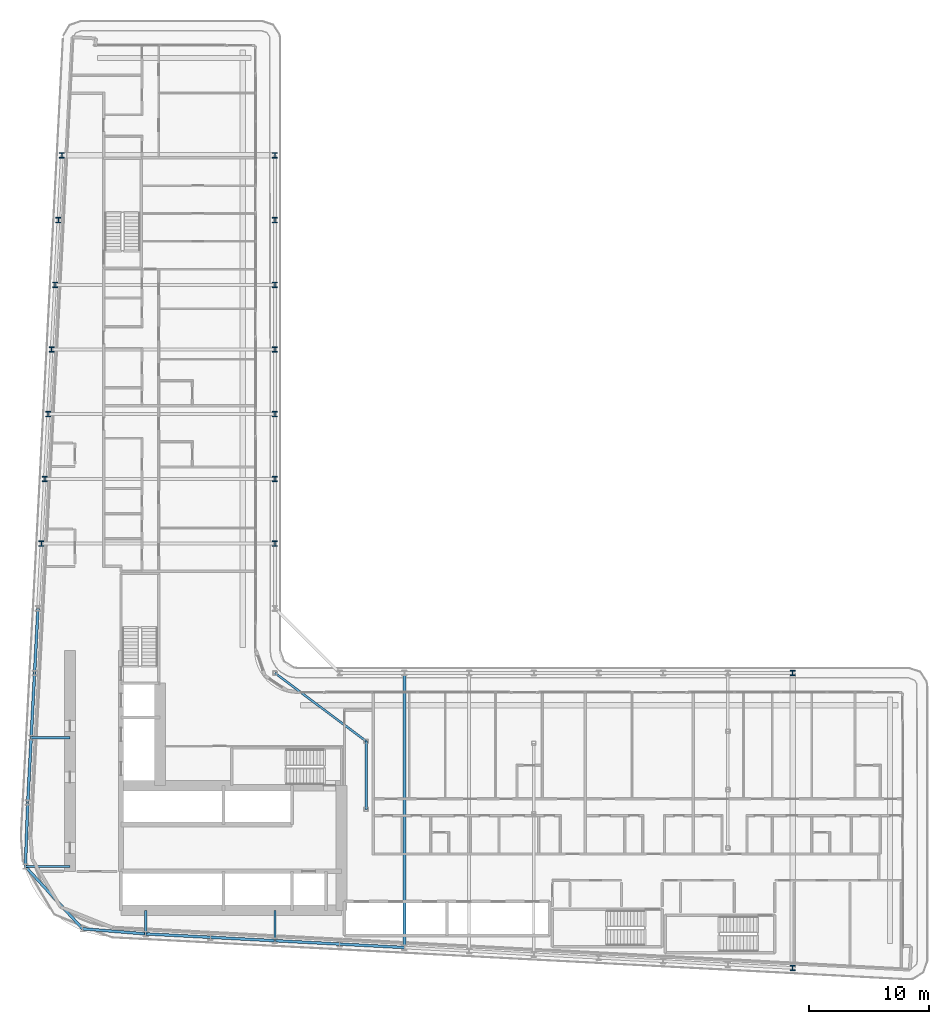
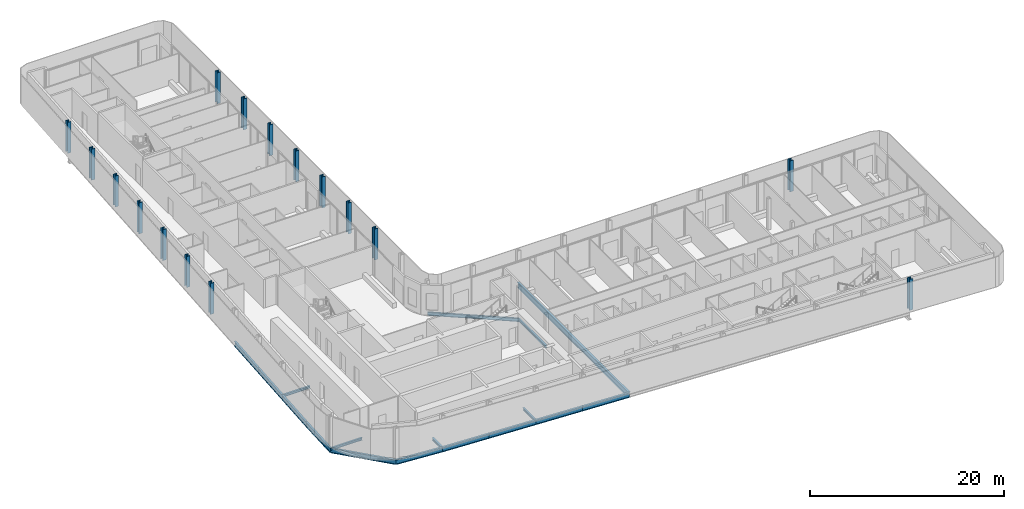
# One storey, part 3 of 28: 17 beams, 16 columns.
"""IFC4 building model written with IfcOpenShell, lengths in metres."""

from ifc_helpers import new_model, si_unit, direction, frame, origin, origin_2d, place, context, subcontext, project, spatial, i_section, extrude, material, material_profile, profile_set, type_object, element, save


model = new_model("IFC4")

# Units and contexts
model_context = context("Model", 3, precision=1e-05, world=origin(), true_north=direction((0.0, 1.0)))
body_context = subcontext(model_context, "Body", "Model", "MODEL_VIEW")
ifc_project = project(units=[si_unit("LENGTHUNIT", "METRE"), si_unit("AREAUNIT", "SQUARE_METRE"), si_unit("VOLUMEUNIT", "CUBIC_METRE"), si_unit("PLANEANGLEUNIT", "RADIAN"), si_unit("MASSUNIT", "GRAM", prefix="KILO")], contexts=[model_context])

# Site, building, storey
site_placement = place(None, origin())
site = spatial("IfcSite", under=ifc_project, at=site_placement, CompositionType="ELEMENT")
building_placement = place(site_placement, origin())
building = spatial("IfcBuilding", under=site, at=building_placement, Name="Kheshtan School and Residences Tower", CompositionType="ELEMENT")
storey_placement = place(building_placement, frame((0.0, 0.0, 137.0)))
storey = spatial("IfcBuildingStorey", under=building, at=storey_placement, Name="L32", CompositionType="ELEMENT", Elevation=137.0)

# Columns
ifc_material = material(Name="Steel ASTM A992 Grade 50", Category="steel")
ifc_material_profile_1 = material_profile(ifc_material, i_section(OverallWidth=0.41796875, OverallDepth=0.455078125, WebThickness=0.042236328125, FlangeThickness=0.067626953125, FilletRadius=0.013671875, at=origin_2d()), Name="W360x551")
ifc_profile_set_1 = profile_set([ifc_material_profile_1], Name="Steel ASTM A992 Grade 50")
column_type = type_object("IfcColumnType", Name="Column C2 W360x551 ASTM A992 Grade 50", PredefinedType="COLUMN", material=ifc_profile_set_1)
for number, where, z_axis, x_axis, name in (
    (1, (90.800048828125, 20.989990234375, 0.0), (0.0, 0.0, 1.0), (1.0, 0.0, 0.0), "Column C006"),
    (2, (90.800048828125, 45.60009765625, 0.0), (0.0, 0.0, 1.0), (1.0, 0.0, 0.0), "Column C068"),
    (3, (28.10595703125, 56.39990234375, 0.0), (0.0, 0.0, 1.0), (1.0, 0.0, 0.0), "Column C080"),
    (4, (47.60009765625, 56.39990234375, 0.0), (0.0, 0.0, 1.0), (1.0, 0.0, 0.0), "Column C081"),
    (5, (28.389892578125, 61.800048828125, 0.0), (0.0, 0.0, 1.0), (1.0, 0.0, 0.0), "Column C082"),
    (6, (47.60009765625, 61.800048828125, 0.0), (0.0, 0.0, 1.0), (1.0, 0.0, 0.0), "Column C083"),
    (7, (28.674072265625, 67.199951171875, 0.0), (0.0, 0.0, 1.0), (1.0, 0.0, 0.0), "Column C084"),
    (8, (47.60009765625, 67.199951171875, 0.0), (0.0, 0.0, 1.0), (1.0, 0.0, 0.0), "Column C085"),
    (9, (28.9580078125, 72.60009765625, 0.0), (0.0, 0.0, 1.0), (1.0, 0.0, 0.0), "Column C086"),
    (10, (47.60009765625, 72.60009765625, 0.0), (0.0, 0.0, 1.0), (1.0, 0.0, 0.0), "Column C087"),
    (11, (29.242919921875, 78.0, 0.0), (0.0, 0.0, 1.0), (1.0, 0.0, 0.0), "Column C088"),
    (12, (47.60009765625, 78.0, 0.0), (0.0, 0.0, 1.0), (1.0, 0.0, 0.0), "Column C089"),
    (13, (29.527099609375, 83.39990234375, 0.0), (0.0, 0.0, 1.0), (1.0, 0.0, 0.0), "Column C090"),
    (14, (47.60009765625, 83.39990234375, 0.0), (0.0, 0.0, 1.0), (1.0, 0.0, 0.0), "Column C091"),
    (15, (29.81103515625, 88.800048828125, 0.0), (0.0, 0.0, 1.0), (1.0, 0.0, 0.0), "Column C098"),
    (16, (47.60009765625, 88.800048828125, 0.0), (0.0, 0.0, 1.0), (1.0, 0.0, 0.0), "Column C099"),
):
    element("IfcColumn", number, at=place(storey_placement, frame(where, z_axis=z_axis, x_axis=x_axis)), inside=storey, type_object=column_type, Name=name, PredefinedType="COLUMN", context=body_context, shape_type="SweptSolid", body=[
        extrude(i_section(OverallWidth=0.41796875, OverallDepth=0.455078125, WebThickness=0.042236328125, FlangeThickness=0.067626953125, FilletRadius=0.013671875, at=origin_2d()), origin(), (0.0, 0.0, 1.0), 3.89990234375),
    ])

# Beams
ifc_material_profile_2 = material_profile(ifc_material, i_section(OverallWidth=0.202880859375, OverallDepth=0.302978515625, WebThickness=0.007568359375, FlangeThickness=0.01318359375, FilletRadius=0.009033203125, at=origin_2d()), Name="W310x60")
ifc_profile_set_2 = profile_set([ifc_material_profile_2], Name="Steel ASTM A992 Grade 50")
beam_type_1 = type_object("IfcBeamType", Name="Beam FB1 W310x60 ASTM A992 Grade 50", PredefinedType="BEAM", material=ifc_profile_set_2)
beam_1_placement = place(storey_placement, frame((47.60009765625, 23.263916015625, -0.301513671875), z_axis=(0.0, 1.0, 0.0), x_axis=(-1.0, 0.0, 0.0)))
element("IfcBeam", 17, at=beam_1_placement, inside=storey, type_object=beam_type_1, Name="Floor beam C020", PredefinedType="BEAM", context=body_context, shape_type="SweptSolid", body=[
    extrude(i_section(OverallWidth=0.202880859375, OverallDepth=0.302978515625, WebThickness=0.007568359375, FlangeThickness=0.01318359375, FilletRadius=0.009033203125, at=origin_2d()), origin(), (0.0, 0.0, 1.0), 2.5361328125),
])
beam_2_placement = place(storey_placement, frame((36.800048828125, 23.83203125, -0.301513671875), z_axis=(0.0, 1.0, 0.0), x_axis=(-1.0, 0.0, 0.0)))
element("IfcBeam", 18, at=beam_2_placement, inside=storey, type_object=beam_type_1, Name="Floor beam C022", PredefinedType="BEAM", context=body_context, shape_type="SweptSolid", body=[
    extrude(i_section(OverallWidth=0.202880859375, OverallDepth=0.302978515625, WebThickness=0.007568359375, FlangeThickness=0.01318359375, FilletRadius=0.009033203125, at=origin_2d()), origin(), (0.0, 0.0, 1.0), 1.968017578125),
])
beam_3_placement = place(storey_placement, frame((26.76904296875, 29.4541015625, -0.301513671875), z_axis=(1.0, 0.0, 0.0), x_axis=(0.0, 1.0, 0.0)))
element("IfcBeam", 19, at=beam_3_placement, inside=storey, type_object=beam_type_1, Name="Floor beam C038", PredefinedType="BEAM", context=body_context, shape_type="SweptSolid", body=[
    extrude(i_section(OverallWidth=0.202880859375, OverallDepth=0.302978515625, WebThickness=0.007568359375, FlangeThickness=0.01318359375, FilletRadius=0.009033203125, at=origin_2d()), origin(), (0.0, 0.0, 1.0), 3.73095703125),
])
beam_4_placement = place(storey_placement, frame((27.2529296875, 40.199951171875, -0.301513671875), z_axis=(1.0, 0.0, 0.0), x_axis=(0.0, 1.0, 0.0)))
element("IfcBeam", 20, at=beam_4_placement, inside=storey, type_object=beam_type_1, Name="Floor beam C056", PredefinedType="BEAM", context=body_context, shape_type="SweptSolid", body=[
    extrude(i_section(OverallWidth=0.202880859375, OverallDepth=0.302978515625, WebThickness=0.007568359375, FlangeThickness=0.01318359375, FilletRadius=0.009033203125, at=origin_2d()), origin(), (0.0, 0.0, 1.0), 3.2470703125),
])
beam_5_placement = place(storey_placement, frame((55.199951171875, 34.23193359375, -0.301513671875), z_axis=(0.0, 1.0, 0.0), x_axis=(-1.0, 0.0, 0.0)))
element("IfcBeam", 21, at=beam_5_placement, inside=storey, type_object=beam_type_1, Name="Floor beam IC", PredefinedType="BEAM", context=body_context, shape_type="SweptSolid", body=[
    extrude(i_section(OverallWidth=0.202880859375, OverallDepth=0.302978515625, WebThickness=0.007568359375, FlangeThickness=0.01318359375, FilletRadius=0.009033203125, at=origin_2d()), origin(), (0.0, 0.0, 1.0), 5.68408203125),
])
ifc_material_profile_3 = material_profile(ifc_material, i_section(OverallWidth=0.180908203125, OverallDepth=0.4169921875, WebThickness=0.010986328125, FlangeThickness=0.018310546875, FilletRadius=0.012451171875, at=origin_2d()), Name="W410x85")
ifc_profile_set_3 = profile_set([ifc_material_profile_3], Name="Steel ASTM A992 Grade 50")
beam_type_2 = type_object("IfcBeamType", Name="Beam FB3 W410x85 ASTM A992 Grade 50", PredefinedType="BEAM", material=ifc_profile_set_3)
beam_6_placement = place(storey_placement, frame((47.60009765625, 45.60009765625, -0.3583984375), z_axis=(0.800798828004, -0.598933416222, 0.0), x_axis=(0.598933416222, 0.800798828004, 0.0)))
element("IfcBeam", 22, at=beam_6_placement, inside=storey, type_object=beam_type_2, Name="Floor beam IC", PredefinedType="BEAM", context=body_context, shape_type="SweptSolid", body=[
    extrude(i_section(OverallWidth=0.180908203125, OverallDepth=0.4169921875, WebThickness=0.010986328125, FlangeThickness=0.018310546875, FilletRadius=0.012451171875, at=origin_2d()), origin(), (0.0, 0.0, 1.0), 9.490234375),
])
ifc_material_profile_4 = material_profile(ifc_material, i_section(OverallWidth=0.2529296875, OverallDepth=0.677978515625, WebThickness=0.01171875, FlangeThickness=0.016357421875, FilletRadius=0.0146484375, at=origin_2d()), Name="W690x125")
ifc_profile_set_4 = profile_set([ifc_material_profile_4], Name="Steel ASTM A992 Grade 50")
beam_type_3 = type_object("IfcBeamType", Name="Beam FB6 W690x125 ASTM A992 Grade 50", PredefinedType="BEAM", material=ifc_profile_set_4)
beam_7_placement = place(storey_placement, frame((58.39990234375, 22.695068359375, -0.489013671875), z_axis=(0.0, 1.0, 0.0), x_axis=(-1.0, 0.0, 0.0)))
element("IfcBeam", 23, at=beam_7_placement, inside=storey, type_object=beam_type_3, Name="Floor beam C018", PredefinedType="BEAM", context=body_context, shape_type="SweptSolid", body=[
    extrude(i_section(OverallWidth=0.2529296875, OverallDepth=0.677978515625, WebThickness=0.01171875, FlangeThickness=0.016357421875, FilletRadius=0.0146484375, at=origin_2d()), origin(), (0.0, 0.0, 1.0), 22.905029296875),
])
ifc_material_profile_5 = material_profile(ifc_material, i_section(OverallWidth=0.22802734375, OverallDepth=0.60302734375, WebThickness=0.010498046875, FlangeThickness=0.014892578125, FilletRadius=0.013427734375, at=origin_2d()), Name="W610x101")
ifc_profile_set_5 = profile_set([ifc_material_profile_5], Name="Steel ASTM A992 Grade 50")
beam_type_4 = type_object("IfcBeamType", Name="Beam SP2 W610x101 ASTM A992 Grade 50", PredefinedType="BEAM", material=ifc_profile_set_5)
for number, where, z_axis, x_axis, name in (
    (24, (58.39990234375, 22.695068359375, -0.451416015625), (-0.998610961136, 0.052689166816, 0.0), (-0.052689166816, -0.998610961136, 0.0), "Spandrel beam C018-C019"),
    (25, (53.0, 22.97998046875, -0.451416015625), (-0.998620447272, 0.05250906864, 0.0), (-0.05250906864, -0.998620447272, 0.0), "Spandrel beam C019-C020"),
):
    element("IfcBeam", number, at=place(storey_placement, frame(where, z_axis=z_axis, x_axis=x_axis)), inside=storey, type_object=beam_type_4, Name=name, PredefinedType="BEAM", context=body_context, shape_type="SweptSolid", body=[
        extrude(i_section(OverallWidth=0.22802734375, OverallDepth=0.60302734375, WebThickness=0.010498046875, FlangeThickness=0.014892578125, FilletRadius=0.013427734375, at=origin_2d()), origin(), (0.0, 0.0, 1.0), 5.407470703125),
    ])
beam_8_placement = place(storey_placement, frame((47.60009765625, 23.263916015625, -0.451416015625), z_axis=(-0.998618203458, 0.052551724256, 0.0), x_axis=(-0.052551724256, -0.998618203458, 0.0)))
element("IfcBeam", 26, at=beam_8_placement, inside=storey, type_object=beam_type_4, Name="Spandrel beam C020-C021", PredefinedType="BEAM", context=body_context, shape_type="SweptSolid", body=[
    extrude(i_section(OverallWidth=0.22802734375, OverallDepth=0.60302734375, WebThickness=0.010498046875, FlangeThickness=0.014892578125, FilletRadius=0.013427734375, at=origin_2d()), origin(), (0.0, 0.0, 1.0), 5.40771484375),
])
beam_9_placement = place(storey_placement, frame((42.199951171875, 23.548095703125, -0.451416015625), z_axis=(-0.998620447272, 0.05250906864, 0.0), x_axis=(-0.05250906864, -0.998620447272, 0.0)))
element("IfcBeam", 27, at=beam_9_placement, inside=storey, type_object=beam_type_4, Name="Spandrel beam C021-C022", PredefinedType="BEAM", context=body_context, shape_type="SweptSolid", body=[
    extrude(i_section(OverallWidth=0.22802734375, OverallDepth=0.60302734375, WebThickness=0.010498046875, FlangeThickness=0.014892578125, FilletRadius=0.013427734375, at=origin_2d()), origin(), (0.0, 0.0, 1.0), 5.407470703125),
])
beam_10_placement = place(storey_placement, frame((36.800048828125, 23.83203125, -0.451416015625), z_axis=(-0.996748565693, 0.08057479003, 0.0), x_axis=(-0.08057479003, -0.996748565693, 0.0)))
element("IfcBeam", 28, at=beam_10_placement, inside=storey, type_object=beam_type_4, Name="Spandrel beam C022-C025", PredefinedType="BEAM", context=body_context, shape_type="SweptSolid", body=[
    extrude(i_section(OverallWidth=0.22802734375, OverallDepth=0.60302734375, WebThickness=0.010498046875, FlangeThickness=0.014892578125, FilletRadius=0.013427734375, at=origin_2d()), origin(), (0.0, 0.0, 1.0), 5.275146484375),
])
beam_11_placement = place(storey_placement, frame((31.5419921875, 24.257080078125, -0.451416015625), z_axis=(-0.676418406149, 0.736517576045, 0.0), x_axis=(-0.736517576045, -0.676418406149, 0.0)))
element("IfcBeam", 29, at=beam_11_placement, inside=storey, type_object=beam_type_4, Name="Spandrel beam C025-C038", PredefinedType="BEAM", context=body_context, shape_type="SweptSolid", body=[
    extrude(i_section(OverallWidth=0.22802734375, OverallDepth=0.60302734375, WebThickness=0.010498046875, FlangeThickness=0.014892578125, FilletRadius=0.013427734375, at=origin_2d()), origin(), (0.0, 0.0, 1.0), 7.05615234375),
])
beam_12_placement = place(storey_placement, frame((26.76904296875, 29.4541015625, -0.451416015625), z_axis=(0.037376249491, 0.999301263871, 0.0), x_axis=(-0.999301263871, 0.037376249491, 0.0)))
element("IfcBeam", 30, at=beam_12_placement, inside=storey, type_object=beam_type_4, Name="Spandrel beam C038-C052", PredefinedType="BEAM", context=body_context, shape_type="SweptSolid", body=[
    extrude(i_section(OverallWidth=0.22802734375, OverallDepth=0.60302734375, WebThickness=0.010498046875, FlangeThickness=0.014892578125, FilletRadius=0.013427734375, at=origin_2d()), origin(), (0.0, 0.0, 1.0), 5.349609375),
])
beam_13_placement = place(storey_placement, frame((26.968994140625, 34.800048828125, -0.451416015625), z_axis=(0.05250906864, 0.998620447272, 0.0), x_axis=(-0.998620447272, 0.05250906864, 0.0)))
element("IfcBeam", 31, at=beam_13_placement, inside=storey, type_object=beam_type_4, Name="Spandrel beam C052-C056", PredefinedType="BEAM", context=body_context, shape_type="SweptSolid", body=[
    extrude(i_section(OverallWidth=0.22802734375, OverallDepth=0.60302734375, WebThickness=0.010498046875, FlangeThickness=0.014892578125, FilletRadius=0.013427734375, at=origin_2d()), origin(), (0.0, 0.0, 1.0), 5.407470703125),
])
beam_14_placement = place(storey_placement, frame((27.2529296875, 40.199951171875, -0.451416015625), z_axis=(0.052551724256, 0.998618203458, 0.0), x_axis=(-0.998618203458, 0.052551724256, 0.0)))
element("IfcBeam", 32, at=beam_14_placement, inside=storey, type_object=beam_type_4, Name="Spandrel beam C056-C059", PredefinedType="BEAM", context=body_context, shape_type="SweptSolid", body=[
    extrude(i_section(OverallWidth=0.22802734375, OverallDepth=0.60302734375, WebThickness=0.010498046875, FlangeThickness=0.014892578125, FilletRadius=0.013427734375, at=origin_2d()), origin(), (0.0, 0.0, 1.0), 5.40771484375),
])
beam_15_placement = place(storey_placement, frame((27.537109375, 45.60009765625, -0.451416015625), z_axis=(0.052689166816, 0.998610961136, 0.0), x_axis=(-0.998610961136, 0.052689166816, 0.0)))
element("IfcBeam", 33, at=beam_15_placement, inside=storey, type_object=beam_type_4, Name="Spandrel beam C059-C078", PredefinedType="BEAM", context=body_context, shape_type="SweptSolid", body=[
    extrude(i_section(OverallWidth=0.22802734375, OverallDepth=0.60302734375, WebThickness=0.010498046875, FlangeThickness=0.014892578125, FilletRadius=0.013427734375, at=origin_2d()), origin(), (0.0, 0.0, 1.0), 5.407470703125),
])

save(model, "model.ifc")
